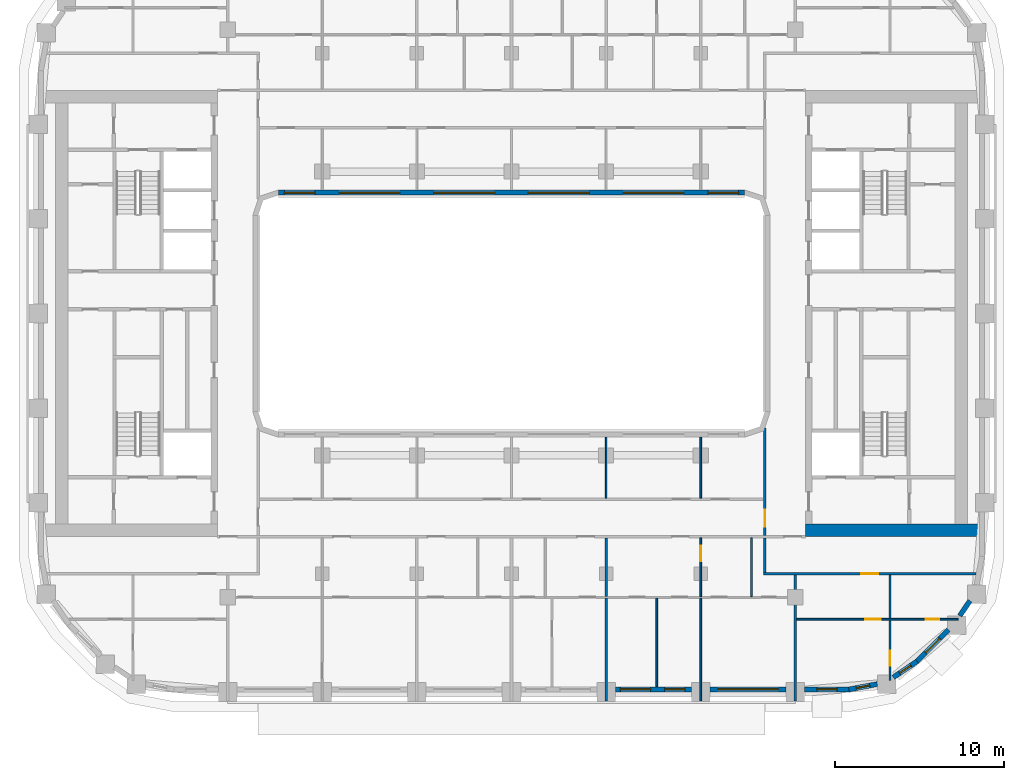
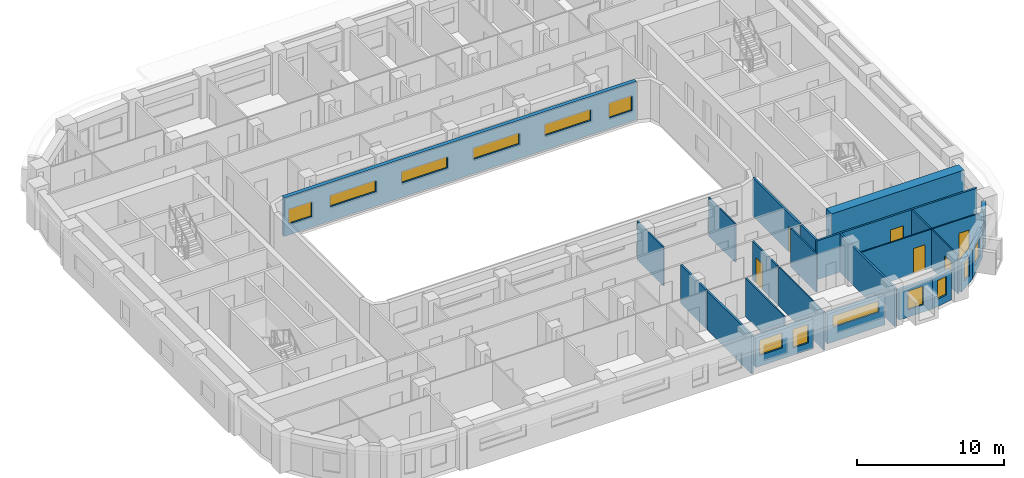
# One storey, part 5 of 22: 24 walls, 13 windows, 6 doors, 19 openings.
"""IFC4 building model written with IfcOpenShell, lengths in metres."""

from ifc_helpers import new_model, si_unit, direction, frame, frame_2d, origin, place, context, subcontext, project, spatial, rectangle, extrude, material, layer, layer_set, type_object, element, fill, save


model = new_model("IFC4")

# Units and contexts
model_context = context("Model", 3, precision=1e-05, world=origin(), true_north=direction((0.0, 1.0)))
body_context = subcontext(model_context, "Body", "Model", "MODEL_VIEW")
ifc_project = project(units=[si_unit("LENGTHUNIT", "METRE"), si_unit("AREAUNIT", "SQUARE_METRE"), si_unit("VOLUMEUNIT", "CUBIC_METRE"), si_unit("PLANEANGLEUNIT", "RADIAN"), si_unit("MASSUNIT", "GRAM", prefix="KILO")], contexts=[model_context])

# Site, building, storey
site_placement = place(None, origin())
site = spatial("IfcSite", under=ifc_project, at=site_placement, CompositionType="ELEMENT")
building_placement = place(site_placement, origin())
building = spatial("IfcBuilding", under=site, at=building_placement, Name="Kiln Ring Residences", CompositionType="ELEMENT")
storey_placement = place(building_placement, frame((0.0, 0.0, 139.60009765625)))
storey = spatial("IfcBuildingStorey", under=building, at=storey_placement, Name="L35", CompositionType="ELEMENT", Elevation=139.60009765625)

# Wall
ifc_material_1 = material(Name="Concrete C60/75", Category="concrete")
ifc_layer_1 = layer(ifc_material_1, 0.75)
ifc_layer_set_1 = layer_set([ifc_layer_1], Name="CORE-WALL-RC750")
wall_type_1 = type_object("IfcWallType", Name="CORE-WALL-RC750", PredefinedType="SHEAR", material=ifc_layer_set_1)
wall_1_placement = place(storey_placement, frame((17.39990234375, -12.824951171875, 0.0), z_axis=(0.0, 0.0, 1.0), x_axis=(1.0, 0.0, 0.0)))
element("IfcWall", 1, at=wall_1_placement, inside=storey, type_object=wall_type_1, Name="Core wall east L35 5", PredefinedType="SHEAR", context=body_context, shape_type="SweptSolid", body=[
    extrude(rectangle(XDim=10.400146484375, YDim=0.75, at=frame_2d((5.2001953125, 0.0))), origin(), (0.0, 0.0, 1.0), 3.199951171875),
])

# Wall, openings, windows
ifc_material_2 = material(Name="Brick masonry, dark clay brick", Category="masonry")
ifc_layer_2 = layer(ifc_material_2, 0.300048828125)
ifc_layer_set_2 = layer_set([ifc_layer_2], Name="EW-300 BRICK WALL")
wall_type_2 = type_object("IfcWallType", Name="EW-300 BRICK WALL", PredefinedType="SOLIDWALL", material=ifc_layer_set_2)
wall_2_placement = place(storey_placement, frame((6.14990234375, -22.25, 0.0), z_axis=(0.0, 0.0, 1.0), x_axis=(1.0, 0.0, 0.0)))
wall_2 = element("IfcWall", 2, at=wall_2_placement, inside=storey, type_object=wall_type_2, Name="Facade wall L35 9", PredefinedType="SOLIDWALL", context=body_context, shape_type="SweptSolid", body=[
    extrude(rectangle(XDim=4.5, YDim=0.300048828125, at=frame_2d((2.25, 0.0))), origin(), (0.0, 0.0, 1.0), 2.449951171875),
])
opening_1_placement = place(wall_2_placement, frame((0.28759765625, 0.0, 0.89990234375)))
opening_1 = element("IfcOpeningElement", 3, at=opening_1_placement, cuts=wall_2, Name="Opening W2", PredefinedType="OPENING", context=body_context, shape_type="SweptSolid", body=[
    extrude(rectangle(XDim=1.800048828125, YDim=1.25, at=frame_2d((0.89990234375, 0.625))), frame((0.0, 0.159912109375, 0.0), z_axis=(0.0, -1.0, 0.0), x_axis=(1.0, 0.0, 0.0)), (0.0, 0.0, 1.0), 0.320068359375),
])
opening_2_placement = place(wall_2_placement, frame((2.91259765625, 0.0, 0.60009765625)))
opening_2 = element("IfcOpeningElement", 4, at=opening_2_placement, cuts=wall_2, Name="Opening W1", PredefinedType="OPENING", context=body_context, shape_type="SweptSolid", body=[
    extrude(rectangle(XDim=1.199951171875, YDim=1.550048828125, at=frame_2d((0.60009765625, 0.77490234375))), frame((0.0, 0.159912109375, 0.0), z_axis=(0.0, -1.0, 0.0), x_axis=(1.0, 0.0, 0.0)), (0.0, 0.0, 1.0), 0.320068359375),
])
ifc_material_3 = material(Name="Aluminium frame with double glazing", Category="aluminium")
window_type_1 = type_object("IfcWindowType", Name="WINDOW 1200 x 1550", PartitioningType="SINGLE_PANEL", PredefinedType="WINDOW", material=ifc_material_3)
window_1_placement = place(opening_2_placement, origin())
window_1 = element("IfcWindow", 5, at=window_1_placement, inside=storey, type_object=window_type_1, Name="Window L35 10", OverallHeight=1.550048828125, OverallWidth=1.199951171875, PartitioningType="SINGLE_PANEL", PredefinedType="WINDOW", context=body_context, shape_type="SweptSolid", body=[
    extrude(rectangle(XDim=1.199951171875, YDim=1.550048828125, at=frame_2d((0.60009765625, 0.77490234375))), frame((0.0, 0.030029296875, 0.0), z_axis=(0.0, -1.0, 0.0), x_axis=(1.0, 0.0, 0.0)), (0.0, 0.0, 1.0), 0.06005859375),
])
fill(opening_2, window_1)
ifc_material_4 = material(Name="Aluminium frame with double glazing", Category="aluminium")
window_type_2 = type_object("IfcWindowType", Name="WINDOW 1800 x 1250", PartitioningType="SINGLE_PANEL", PredefinedType="WINDOW", material=ifc_material_4)
window_2_placement = place(opening_1_placement, origin())
window_2 = element("IfcWindow", 6, at=window_2_placement, inside=storey, type_object=window_type_2, Name="Window L35 9", OverallHeight=1.25, OverallWidth=1.800048828125, PartitioningType="SINGLE_PANEL", PredefinedType="WINDOW", context=body_context, shape_type="SweptSolid", body=[
    extrude(rectangle(XDim=1.800048828125, YDim=1.25, at=frame_2d((0.89990234375, 0.625))), frame((0.0, 0.030029296875, 0.0), z_axis=(0.0, -1.0, 0.0), x_axis=(1.0, 0.0, 0.0)), (0.0, 0.0, 1.0), 0.06005859375),
])
fill(opening_1, window_2)

# Wall, opening, window
wall_3_placement = place(storey_placement, frame((11.75, -22.25, 0.0), z_axis=(0.0, 0.0, 1.0), x_axis=(1.0, 0.0, 0.0)))
wall_3 = element("IfcWall", 7, at=wall_3_placement, inside=storey, type_object=wall_type_2, Name="Facade wall L35 10", PredefinedType="SOLIDWALL", context=body_context, shape_type="SweptSolid", body=[
    extrude(rectangle(XDim=4.5, YDim=0.300048828125, at=frame_2d((2.25, 0.0))), origin(), (0.0, 0.0, 1.0), 2.449951171875),
])
opening_3_placement = place(wall_3_placement, frame((0.449951171875, 0.0, 1.199951171875)))
opening_3 = element("IfcOpeningElement", 8, at=opening_3_placement, cuts=wall_3, Name="Opening W4", PredefinedType="OPENING", context=body_context, shape_type="SweptSolid", body=[
    extrude(rectangle(XDim=3.60009765625, YDim=0.949951171875, at=frame_2d((1.800048828125, 0.47509765625))), frame((0.0, 0.159912109375, 0.0), z_axis=(0.0, -1.0, 0.0), x_axis=(1.0, 0.0, 0.0)), (0.0, 0.0, 1.0), 0.320068359375),
])
ifc_material_5 = material(Name="Aluminium frame with double glazing", Category="aluminium")
window_type_3 = type_object("IfcWindowType", Name="WINDOW 3600 x 950", PartitioningType="SINGLE_PANEL", PredefinedType="WINDOW", material=ifc_material_5)
window_3_placement = place(opening_3_placement, origin())
window_3 = element("IfcWindow", 9, at=window_3_placement, inside=storey, type_object=window_type_3, Name="Window L35 11", OverallHeight=0.949951171875, OverallWidth=3.60009765625, PartitioningType="SINGLE_PANEL", PredefinedType="WINDOW", context=body_context, shape_type="SweptSolid", body=[
    extrude(rectangle(XDim=3.60009765625, YDim=0.949951171875, at=frame_2d((1.800048828125, 0.47509765625))), frame((0.0, 0.030029296875, 0.0), z_axis=(0.0, -1.0, 0.0), x_axis=(1.0, 0.0, 0.0)), (0.0, 0.0, 1.0), 0.06005859375),
])
fill(opening_3, window_3)

wall_4_placement = place(storey_placement, frame((17.35009765625, -22.25, 0.0), z_axis=(0.0, 0.0, 1.0), x_axis=(1.0, 0.0, 0.0)))
wall_4 = element("IfcWall", 10, at=wall_4_placement, inside=storey, type_object=wall_type_2, Name="Facade wall L35 11", PredefinedType="SOLIDWALL", context=body_context, shape_type="SweptSolid", body=[
    extrude(rectangle(XDim=2.64990234375, YDim=0.300048828125, at=frame_2d((1.324951171875, 0.0))), origin(), (0.0, 0.0, 1.0), 2.449951171875),
])
opening_4_placement = place(wall_4_placement, frame((0.72509765625, 0.0, 0.60009765625)))
opening_4 = element("IfcOpeningElement", 11, at=opening_4_placement, cuts=wall_4, Name="Opening W1", PredefinedType="OPENING", context=body_context, shape_type="SweptSolid", body=[
    extrude(rectangle(XDim=1.199951171875, YDim=1.550048828125, at=frame_2d((0.60009765625, 0.77490234375))), frame((0.0, 0.159912109375, 0.0), z_axis=(0.0, -1.0, 0.0), x_axis=(1.0, 0.0, 0.0)), (0.0, 0.0, 1.0), 0.320068359375),
])
window_4_placement = place(opening_4_placement, origin())
window_4 = element("IfcWindow", 12, at=window_4_placement, inside=storey, type_object=window_type_1, Name="Window L35 12", OverallHeight=1.550048828125, OverallWidth=1.199951171875, PartitioningType="SINGLE_PANEL", PredefinedType="WINDOW", context=body_context, shape_type="SweptSolid", body=[
    extrude(rectangle(XDim=1.199951171875, YDim=1.550048828125, at=frame_2d((0.60009765625, 0.77490234375))), frame((0.0, 0.030029296875, 0.0), z_axis=(0.0, -1.0, 0.0), x_axis=(1.0, 0.0, 0.0)), (0.0, 0.0, 1.0), 0.06005859375),
])
fill(opening_4, window_4)

wall_5_placement = place(storey_placement, frame((19.971923828125, -22.252685546875, 0.0), z_axis=(0.0, 0.0, 1.0), x_axis=(0.982297206936, 0.187329114784, 0.0)))
wall_5 = element("IfcWall", 13, at=wall_5_placement, inside=storey, type_object=wall_type_2, Name="Facade wall L35 12", PredefinedType="SOLIDWALL", context=body_context, shape_type="SweptSolid", body=[
    extrude(rectangle(XDim=1.7060546875, YDim=0.300048828125, at=frame_2d((0.85302734375, 0.0))), origin(), (0.0, 0.0, 1.0), 2.449951171875),
])
opening_5_placement = place(wall_5_placement, frame((0.453125, 0.0, 0.60009765625)))
opening_5 = element("IfcOpeningElement", 14, at=opening_5_placement, cuts=wall_5, Name="Opening W5", PredefinedType="OPENING", context=body_context, shape_type="SweptSolid", body=[
    extrude(rectangle(XDim=0.800048828125, YDim=1.550048828125, at=frame_2d((0.39990234375, 0.77490234375))), frame((0.0, 0.159912109375, 0.0), z_axis=(0.0, -1.0, 0.0), x_axis=(1.0, 0.0, 0.0)), (0.0, 0.0, 1.0), 0.320068359375),
])
ifc_material_6 = material(Name="Aluminium frame with double glazing", Category="aluminium")
window_type_4 = type_object("IfcWindowType", Name="WINDOW 800 x 1550", PartitioningType="SINGLE_PANEL", PredefinedType="WINDOW", material=ifc_material_6)
window_5_placement = place(opening_5_placement, origin())
window_5 = element("IfcWindow", 15, at=window_5_placement, inside=storey, type_object=window_type_4, Name="Window L35 13", OverallHeight=1.550048828125, OverallWidth=0.800048828125, PartitioningType="SINGLE_PANEL", PredefinedType="WINDOW", context=body_context, shape_type="SweptSolid", body=[
    extrude(rectangle(XDim=0.800048828125, YDim=1.550048828125, at=frame_2d((0.39990234375, 0.77490234375))), frame((0.0, 0.030029296875, 0.0), z_axis=(0.0, -1.0, 0.0), x_axis=(1.0, 0.0, 0.0)), (0.0, 0.0, 1.0), 0.06005859375),
])
fill(opening_5, window_5)

wall_6_placement = place(storey_placement, frame((22.601806640625, -21.537841796875, 0.0), z_axis=(0.0, 0.0, 1.0), x_axis=(0.827040942766, 0.562141689424, 0.0)))
wall_6 = element("IfcWall", 16, at=wall_6_placement, inside=storey, type_object=wall_type_2, Name="Facade wall L35 13", PredefinedType="SOLIDWALL", context=body_context, shape_type="SweptSolid", body=[
    extrude(rectangle(XDim=1.7060546875, YDim=0.300048828125, at=frame_2d((0.85302734375, 0.0))), origin(), (0.0, 0.0, 1.0), 2.449951171875),
])
opening_6_placement = place(wall_6_placement, frame((0.453125, 0.0, 0.60009765625)))
opening_6 = element("IfcOpeningElement", 17, at=opening_6_placement, cuts=wall_6, Name="Opening W5", PredefinedType="OPENING", context=body_context, shape_type="SweptSolid", body=[
    extrude(rectangle(XDim=0.800048828125, YDim=1.550048828125, at=frame_2d((0.39990234375, 0.77490234375))), frame((0.0, 0.159912109375, 0.0), z_axis=(0.0, -1.0, 0.0), x_axis=(1.0, 0.0, 0.0)), (0.0, 0.0, 1.0), 0.320068359375),
])
window_6_placement = place(opening_6_placement, origin())
window_6 = element("IfcWindow", 18, at=window_6_placement, inside=storey, type_object=window_type_4, Name="Window L35 14", OverallHeight=1.550048828125, OverallWidth=0.800048828125, PartitioningType="SINGLE_PANEL", PredefinedType="WINDOW", context=body_context, shape_type="SweptSolid", body=[
    extrude(rectangle(XDim=0.800048828125, YDim=1.550048828125, at=frame_2d((0.39990234375, 0.77490234375))), frame((0.0, 0.030029296875, 0.0), z_axis=(0.0, -1.0, 0.0), x_axis=(1.0, 0.0, 0.0)), (0.0, 0.0, 1.0), 0.06005859375),
])
fill(opening_6, window_6)

wall_7_placement = place(storey_placement, frame((23.990966796875, -20.596923828125, 0.0), z_axis=(0.0, 0.0, 1.0), x_axis=(0.707106781187, 0.707106781187, 0.0)))
wall_7 = element("IfcWall", 19, at=wall_7_placement, inside=storey, type_object=wall_type_2, Name="Facade wall L35 14", PredefinedType="SOLIDWALL", context=body_context, shape_type="SweptSolid", body=[
    extrude(rectangle(XDim=2.64990234375, YDim=0.300048828125, at=frame_2d((1.324951171875, 0.0))), origin(), (0.0, 0.0, 1.0), 2.449951171875),
])
opening_7_placement = place(wall_7_placement, frame((0.72509765625, 0.0, 0.60009765625)))
opening_7 = element("IfcOpeningElement", 20, at=opening_7_placement, cuts=wall_7, Name="Opening W1", PredefinedType="OPENING", context=body_context, shape_type="SweptSolid", body=[
    extrude(rectangle(XDim=1.199951171875, YDim=1.550048828125, at=frame_2d((0.60009765625, 0.77490234375))), frame((0.0, 0.159912109375, 0.0), z_axis=(0.0, -1.0, 0.0), x_axis=(1.0, 0.0, 0.0)), (0.0, 0.0, 1.0), 0.320068359375),
])
window_7_placement = place(opening_7_placement, origin())
window_7 = element("IfcWindow", 21, at=window_7_placement, inside=storey, type_object=window_type_1, Name="Window L35 15", OverallHeight=1.550048828125, OverallWidth=1.199951171875, PartitioningType="SINGLE_PANEL", PredefinedType="WINDOW", context=body_context, shape_type="SweptSolid", body=[
    extrude(rectangle(XDim=1.199951171875, YDim=1.550048828125, at=frame_2d((0.60009765625, 0.77490234375))), frame((0.0, 0.030029296875, 0.0), z_axis=(0.0, -1.0, 0.0), x_axis=(1.0, 0.0, 0.0)), (0.0, 0.0, 1.0), 0.06005859375),
])
fill(opening_7, window_7)

# Wall
wall_8_placement = place(storey_placement, frame((26.532470703125, -17.892578125, 0.0), z_axis=(0.0, 0.0, 1.0), x_axis=(0.562105419172, 0.82706559458, 0.0)))
element("IfcWall", 22, at=wall_8_placement, inside=storey, type_object=wall_type_2, Name="Facade wall L35 15", PredefinedType="SOLIDWALL", context=body_context, shape_type="SweptSolid", body=[
    extrude(rectangle(XDim=1.0771484375, YDim=0.300048828125, at=frame_2d((0.53857421875, 0.0))), origin(), (0.0, 0.0, 1.0), 3.199951171875),
])

# Wall, openings, windows
wall_9_placement = place(storey_placement, frame((-13.800048828125, 7.14990234375, 0.0), z_axis=(0.0, 0.0, 1.0), x_axis=(1.0, 0.0, 0.0)))
wall_9 = element("IfcWall", 23, at=wall_9_placement, inside=storey, type_object=wall_type_2, Name="Facade wall L35 50", PredefinedType="SOLIDWALL", context=body_context, shape_type="SweptSolid", body=[
    extrude(rectangle(XDim=27.60009765625, YDim=0.300048828125, at=frame_2d((13.800048828125, 0.0))), origin(), (0.0, 0.0, 1.0), 3.199951171875),
])
opening_8_placement = place(wall_9_placement, frame((0.362548828125, 0.0, 0.89990234375)))
opening_8 = element("IfcOpeningElement", 24, at=opening_8_placement, cuts=wall_9, Name="Opening W2", PredefinedType="OPENING", context=body_context, shape_type="SweptSolid", body=[
    extrude(rectangle(XDim=1.800048828125, YDim=1.25, at=frame_2d((0.89990234375, 0.625))), frame((0.0, 0.159912109375, 0.0), z_axis=(0.0, -1.0, 0.0), x_axis=(1.0, 0.0, 0.0)), (0.0, 0.0, 1.0), 0.320068359375),
])
opening_9_placement = place(wall_9_placement, frame((3.60009765625, 0.0, 1.199951171875)))
opening_9 = element("IfcOpeningElement", 25, at=opening_9_placement, cuts=wall_9, Name="Opening W4", PredefinedType="OPENING", context=body_context, shape_type="SweptSolid", body=[
    extrude(rectangle(XDim=3.60009765625, YDim=0.949951171875, at=frame_2d((1.800048828125, 0.47509765625))), frame((0.0, 0.159912109375, 0.0), z_axis=(0.0, -1.0, 0.0), x_axis=(1.0, 0.0, 0.0)), (0.0, 0.0, 1.0), 0.320068359375),
])
opening_10_placement = place(wall_9_placement, frame((9.199951171875, 0.0, 1.199951171875)))
opening_10 = element("IfcOpeningElement", 26, at=opening_10_placement, cuts=wall_9, Name="Opening W4", PredefinedType="OPENING", context=body_context, shape_type="SweptSolid", body=[
    extrude(rectangle(XDim=3.60009765625, YDim=0.949951171875, at=frame_2d((1.800048828125, 0.47509765625))), frame((0.0, 0.159912109375, 0.0), z_axis=(0.0, -1.0, 0.0), x_axis=(1.0, 0.0, 0.0)), (0.0, 0.0, 1.0), 0.320068359375),
])
opening_11_placement = place(wall_9_placement, frame((14.800048828125, 0.0, 1.199951171875)))
opening_11 = element("IfcOpeningElement", 27, at=opening_11_placement, cuts=wall_9, Name="Opening W4", PredefinedType="OPENING", context=body_context, shape_type="SweptSolid", body=[
    extrude(rectangle(XDim=3.60009765625, YDim=0.949951171875, at=frame_2d((1.800048828125, 0.47509765625))), frame((0.0, 0.159912109375, 0.0), z_axis=(0.0, -1.0, 0.0), x_axis=(1.0, 0.0, 0.0)), (0.0, 0.0, 1.0), 0.320068359375),
])
opening_12_placement = place(wall_9_placement, frame((20.39990234375, 0.0, 1.199951171875)))
opening_12 = element("IfcOpeningElement", 28, at=opening_12_placement, cuts=wall_9, Name="Opening W4", PredefinedType="OPENING", context=body_context, shape_type="SweptSolid", body=[
    extrude(rectangle(XDim=3.60009765625, YDim=0.949951171875, at=frame_2d((1.800048828125, 0.47509765625))), frame((0.0, 0.159912109375, 0.0), z_axis=(0.0, -1.0, 0.0), x_axis=(1.0, 0.0, 0.0)), (0.0, 0.0, 1.0), 0.320068359375),
])
opening_13_placement = place(wall_9_placement, frame((25.4375, 0.0, 0.89990234375)))
opening_13 = element("IfcOpeningElement", 29, at=opening_13_placement, cuts=wall_9, Name="Opening W2", PredefinedType="OPENING", context=body_context, shape_type="SweptSolid", body=[
    extrude(rectangle(XDim=1.800048828125, YDim=1.25, at=frame_2d((0.89990234375, 0.625))), frame((0.0, 0.159912109375, 0.0), z_axis=(0.0, -1.0, 0.0), x_axis=(1.0, 0.0, 0.0)), (0.0, 0.0, 1.0), 0.320068359375),
])
window_8_placement = place(opening_8_placement, origin())
window_8 = element("IfcWindow", 30, at=window_8_placement, inside=storey, type_object=window_type_2, Name="Window L35 33", OverallHeight=1.25, OverallWidth=1.800048828125, PartitioningType="SINGLE_PANEL", PredefinedType="WINDOW", context=body_context, shape_type="SweptSolid", body=[
    extrude(rectangle(XDim=1.800048828125, YDim=1.25, at=frame_2d((0.89990234375, 0.625))), frame((0.0, 0.030029296875, 0.0), z_axis=(0.0, -1.0, 0.0), x_axis=(1.0, 0.0, 0.0)), (0.0, 0.0, 1.0), 0.06005859375),
])
fill(opening_8, window_8)
window_9_placement = place(opening_13_placement, origin())
window_9 = element("IfcWindow", 31, at=window_9_placement, inside=storey, type_object=window_type_2, Name="Window L35 38", OverallHeight=1.25, OverallWidth=1.800048828125, PartitioningType="SINGLE_PANEL", PredefinedType="WINDOW", context=body_context, shape_type="SweptSolid", body=[
    extrude(rectangle(XDim=1.800048828125, YDim=1.25, at=frame_2d((0.89990234375, 0.625))), frame((0.0, 0.030029296875, 0.0), z_axis=(0.0, -1.0, 0.0), x_axis=(1.0, 0.0, 0.0)), (0.0, 0.0, 1.0), 0.06005859375),
])
fill(opening_13, window_9)
window_10_placement = place(opening_9_placement, origin())
window_10 = element("IfcWindow", 32, at=window_10_placement, inside=storey, type_object=window_type_3, Name="Window L35 34", OverallHeight=0.949951171875, OverallWidth=3.60009765625, PartitioningType="SINGLE_PANEL", PredefinedType="WINDOW", context=body_context, shape_type="SweptSolid", body=[
    extrude(rectangle(XDim=3.60009765625, YDim=0.949951171875, at=frame_2d((1.800048828125, 0.47509765625))), frame((0.0, 0.030029296875, 0.0), z_axis=(0.0, -1.0, 0.0), x_axis=(1.0, 0.0, 0.0)), (0.0, 0.0, 1.0), 0.06005859375),
])
fill(opening_9, window_10)
window_11_placement = place(opening_10_placement, origin())
window_11 = element("IfcWindow", 33, at=window_11_placement, inside=storey, type_object=window_type_3, Name="Window L35 35", OverallHeight=0.949951171875, OverallWidth=3.60009765625, PartitioningType="SINGLE_PANEL", PredefinedType="WINDOW", context=body_context, shape_type="SweptSolid", body=[
    extrude(rectangle(XDim=3.60009765625, YDim=0.949951171875, at=frame_2d((1.800048828125, 0.47509765625))), frame((0.0, 0.030029296875, 0.0), z_axis=(0.0, -1.0, 0.0), x_axis=(1.0, 0.0, 0.0)), (0.0, 0.0, 1.0), 0.06005859375),
])
fill(opening_10, window_11)
window_12_placement = place(opening_11_placement, origin())
window_12 = element("IfcWindow", 34, at=window_12_placement, inside=storey, type_object=window_type_3, Name="Window L35 36", OverallHeight=0.949951171875, OverallWidth=3.60009765625, PartitioningType="SINGLE_PANEL", PredefinedType="WINDOW", context=body_context, shape_type="SweptSolid", body=[
    extrude(rectangle(XDim=3.60009765625, YDim=0.949951171875, at=frame_2d((1.800048828125, 0.47509765625))), frame((0.0, 0.030029296875, 0.0), z_axis=(0.0, -1.0, 0.0), x_axis=(1.0, 0.0, 0.0)), (0.0, 0.0, 1.0), 0.06005859375),
])
fill(opening_11, window_12)
window_13_placement = place(opening_12_placement, origin())
window_13 = element("IfcWindow", 35, at=window_13_placement, inside=storey, type_object=window_type_3, Name="Window L35 37", OverallHeight=0.949951171875, OverallWidth=3.60009765625, PartitioningType="SINGLE_PANEL", PredefinedType="WINDOW", context=body_context, shape_type="SweptSolid", body=[
    extrude(rectangle(XDim=3.60009765625, YDim=0.949951171875, at=frame_2d((1.800048828125, 0.47509765625))), frame((0.0, 0.030029296875, 0.0), z_axis=(0.0, -1.0, 0.0), x_axis=(1.0, 0.0, 0.0)), (0.0, 0.0, 1.0), 0.06005859375),
])
fill(opening_12, window_13)

# Wall, openings, doors
ifc_material_7 = material(Name="Gypsum board on steel studs", Category="steel")
ifc_layer_3 = layer(ifc_material_7, 0.10009765625)
ifc_layer_set_3 = layer_set([ifc_layer_3], Name="PARTITION-100")
wall_type_3 = type_object("IfcWallType", Name="PARTITION-100", PredefinedType="PARTITIONING", material=ifc_layer_set_3)
wall_10_placement = place(storey_placement, frame((16.875, -18.10009765625, 0.0), z_axis=(0.0, 0.0, 1.0), x_axis=(1.0, 0.0, 0.0)))
wall_10 = element("IfcWall", 36, at=wall_10_placement, inside=storey, type_object=wall_type_3, Name="Partition 001", PredefinedType="PARTITIONING", context=body_context, shape_type="SweptSolid", body=[
    extrude(rectangle(XDim=9.56494140625, YDim=0.10009765625, at=frame_2d((4.782470703125, 0.0))), origin(), (0.0, 0.0, 1.0), 3.199951171875),
])
opening_14_placement = place(wall_10_placement, frame((7.638916015625, 0.0, 0.0)))
opening_14 = element("IfcOpeningElement", 37, at=opening_14_placement, cuts=wall_10, Name="Opening L35-D067", PredefinedType="OPENING", context=body_context, shape_type="SweptSolid", body=[
    extrude(rectangle(XDim=0.800048828125, YDim=2.10009765625, at=frame_2d((0.39990234375, 1.050048828125))), frame((0.0, 0.06005859375, 0.0), z_axis=(0.0, -1.0, 0.0), x_axis=(1.0, 0.0, 0.0)), (0.0, 0.0, 1.0), 0.1201171875),
])
opening_15_placement = place(wall_10_placement, frame((4.074951171875, 0.0, 0.0)))
opening_15 = element("IfcOpeningElement", 38, at=opening_15_placement, cuts=wall_10, Name="Opening L35-D068", PredefinedType="OPENING", context=body_context, shape_type="SweptSolid", body=[
    extrude(rectangle(XDim=0.89990234375, YDim=2.10009765625, at=frame_2d((0.449951171875, 1.050048828125))), frame((0.0, 0.06005859375, 0.0), z_axis=(0.0, -1.0, 0.0), x_axis=(1.0, 0.0, 0.0)), (0.0, 0.0, 1.0), 0.1201171875),
])
ifc_material_8 = material(Name="Timber door leaf", Category="wood")
door_type_1 = type_object("IfcDoorType", Name="FLAT-DOOR-800-PL", OperationType="SINGLE_SWING_LEFT", PredefinedType="DOOR", material=ifc_material_8)
door_1_placement = place(opening_14_placement, origin())
door_1 = element("IfcDoor", 39, at=door_1_placement, inside=storey, type_object=door_type_1, Name="Door L35-D067", OperationType="SINGLE_SWING_LEFT", OverallHeight=2.10009765625, OverallWidth=0.800048828125, PredefinedType="DOOR", context=body_context, shape_type="SweptSolid", body=[
    extrude(rectangle(XDim=0.800048828125, YDim=2.10009765625, at=frame_2d((0.39990234375, 1.050048828125))), frame((0.0, 0.02490234375, 0.0), z_axis=(0.0, -1.0, 0.0), x_axis=(1.0, 0.0, 0.0)), (0.0, 0.0, 1.0), 0.050048828125),
])
fill(opening_14, door_1)
ifc_material_9 = material(Name="Timber door leaf", Category="wood")
door_type_2 = type_object("IfcDoorType", Name="FLAT-DOOR-900-PL", OperationType="SINGLE_SWING_LEFT", PredefinedType="DOOR", material=ifc_material_9)
door_2_placement = place(opening_15_placement, origin())
door_2 = element("IfcDoor", 40, at=door_2_placement, inside=storey, type_object=door_type_2, Name="Door L35-D068", OperationType="SINGLE_SWING_RIGHT", OverallHeight=2.10009765625, OverallWidth=0.89990234375, PredefinedType="DOOR", context=body_context, shape_type="SweptSolid", body=[
    extrude(rectangle(XDim=0.89990234375, YDim=2.10009765625, at=frame_2d((0.449951171875, 1.050048828125))), frame((0.0, 0.02490234375, 0.0), z_axis=(0.0, -1.0, 0.0), x_axis=(1.0, 0.0, 0.0)), (0.0, 0.0, 1.0), 0.050048828125),
])
fill(opening_15, door_2)

# Walls
wall_11_placement = place(storey_placement, frame((5.60009765625, -10.925048828125, 0.0), z_axis=(0.0, 0.0, 1.0), x_axis=(0.0, 1.0, 0.0)))
element("IfcWall", 41, at=wall_11_placement, inside=storey, type_object=wall_type_3, Name="Partition 049", PredefinedType="PARTITIONING", context=body_context, shape_type="SweptSolid", body=[
    extrude(rectangle(XDim=3.60498046875, YDim=0.10009765625, at=frame_2d((1.802490234375, 0.0))), origin(), (0.0, 0.0, 1.0), 3.199951171875),
])
wall_12_placement = place(storey_placement, frame((8.60009765625, -22.080078125, 0.0), z_axis=(0.0, 0.0, 1.0), x_axis=(0.0, 1.0, 0.0)))
element("IfcWall", 42, at=wall_12_placement, inside=storey, type_object=wall_type_3, Name="Partition 056", PredefinedType="PARTITIONING", context=body_context, shape_type="SweptSolid", body=[
    extrude(rectangle(XDim=5.22998046875, YDim=0.10009765625, at=frame_2d((2.614990234375, 0.0))), origin(), (0.0, 0.0, 1.0), 3.199951171875),
])
wall_13_placement = place(storey_placement, frame((11.199951171875, -22.929931640625, 0.0), z_axis=(0.0, 0.0, 1.0), x_axis=(0.0, 1.0, 0.0)))
element("IfcWall", 43, at=wall_13_placement, inside=storey, type_object=wall_type_3, Name="Partition 058", PredefinedType="PARTITIONING", context=body_context, shape_type="SweptSolid", body=[
    extrude(rectangle(XDim=6.079833984375, YDim=0.10009765625, at=frame_2d((3.0400390625, 0.0))), origin(), (0.0, 0.0, 1.0), 3.199951171875),
])

# Wall, opening, door
wall_14_placement = place(storey_placement, frame((11.199951171875, -16.75, 0.0), z_axis=(0.0, 0.0, 1.0), x_axis=(0.0, 1.0, 0.0)))
wall_14 = element("IfcWall", 44, at=wall_14_placement, inside=storey, type_object=wall_type_3, Name="Partition 059", PredefinedType="PARTITIONING", context=body_context, shape_type="SweptSolid", body=[
    extrude(rectangle(XDim=3.47509765625, YDim=0.10009765625, at=frame_2d((1.737548828125, 0.0))), origin(), (0.0, 0.0, 1.0), 3.199951171875),
])
opening_16_placement = place(wall_14_placement, frame((2.10009765625, 0.0, 0.0)))
opening_16 = element("IfcOpeningElement", 45, at=opening_16_placement, cuts=wall_14, Name="Opening L35-D061", PredefinedType="OPENING", context=body_context, shape_type="SweptSolid", body=[
    extrude(rectangle(XDim=0.89990234375, YDim=2.10009765625, at=frame_2d((0.449951171875, 1.050048828125))), frame((0.0, 0.06005859375, 0.0), z_axis=(0.0, -1.0, 0.0), x_axis=(1.0, 0.0, 0.0)), (0.0, 0.0, 1.0), 0.1201171875),
])
door_3_placement = place(opening_16_placement, origin())
door_3 = element("IfcDoor", 46, at=door_3_placement, inside=storey, type_object=door_type_2, Name="Door L35-D061", OperationType="SINGLE_SWING_RIGHT", OverallHeight=2.10009765625, OverallWidth=0.89990234375, PredefinedType="DOOR", context=body_context, shape_type="SweptSolid", body=[
    extrude(rectangle(XDim=0.89990234375, YDim=2.10009765625, at=frame_2d((0.449951171875, 1.050048828125))), frame((0.0, 0.02490234375, 0.0), z_axis=(0.0, -1.0, 0.0), x_axis=(1.0, 0.0, 0.0)), (0.0, 0.0, 1.0), 0.050048828125),
])
fill(opening_16, door_3)

# Walls
wall_15_placement = place(storey_placement, frame((11.199951171875, -10.925048828125, 0.0), z_axis=(0.0, 0.0, 1.0), x_axis=(0.0, 1.0, 0.0)))
element("IfcWall", 47, at=wall_15_placement, inside=storey, type_object=wall_type_3, Name="Partition 060", PredefinedType="PARTITIONING", context=body_context, shape_type="SweptSolid", body=[
    extrude(rectangle(XDim=3.60498046875, YDim=0.10009765625, at=frame_2d((1.802490234375, 0.0))), origin(), (0.0, 0.0, 1.0), 3.199951171875),
])
wall_16_placement = place(storey_placement, frame((14.199951171875, -16.75, 0.0), z_axis=(0.0, 0.0, 1.0), x_axis=(0.0, 1.0, 0.0)))
element("IfcWall", 48, at=wall_16_placement, inside=storey, type_object=wall_type_3, Name="Partition 066", PredefinedType="PARTITIONING", context=body_context, shape_type="SweptSolid", body=[
    extrude(rectangle(XDim=3.47509765625, YDim=0.10009765625, at=frame_2d((1.737548828125, 0.0))), origin(), (0.0, 0.0, 1.0), 3.199951171875),
])

# Wall, opening, door
wall_17_placement = place(storey_placement, frame((22.39990234375, -21.719970703125, 0.0), z_axis=(0.0, 0.0, 1.0), x_axis=(0.0, 1.0, 0.0)))
wall_17 = element("IfcWall", 49, at=wall_17_placement, inside=storey, type_object=wall_type_3, Name="Partition 073", PredefinedType="PARTITIONING", context=body_context, shape_type="SweptSolid", body=[
    extrude(rectangle(XDim=3.570068359375, YDim=0.10009765625, at=frame_2d((1.78515625, 0.0))), origin(), (0.0, 0.0, 1.0), 3.199951171875),
])
opening_17_placement = place(wall_17_placement, frame((0.8720703125, 0.0, 0.0)))
opening_17 = element("IfcOpeningElement", 50, at=opening_17_placement, cuts=wall_17, Name="Opening L35-D069", PredefinedType="OPENING", context=body_context, shape_type="SweptSolid", body=[
    extrude(rectangle(XDim=0.89990234375, YDim=2.10009765625, at=frame_2d((0.449951171875, 1.050048828125))), frame((0.0, 0.06005859375, 0.0), z_axis=(0.0, -1.0, 0.0), x_axis=(1.0, 0.0, 0.0)), (0.0, 0.0, 1.0), 0.1201171875),
])
door_4_placement = place(opening_17_placement, origin())
door_4 = element("IfcDoor", 51, at=door_4_placement, inside=storey, type_object=door_type_2, Name="Door L35-D069", OperationType="SINGLE_SWING_LEFT", OverallHeight=2.10009765625, OverallWidth=0.89990234375, PredefinedType="DOOR", context=body_context, shape_type="SweptSolid", body=[
    extrude(rectangle(XDim=0.89990234375, YDim=2.10009765625, at=frame_2d((0.449951171875, 1.050048828125))), frame((0.0, 0.02490234375, 0.0), z_axis=(0.0, -1.0, 0.0), x_axis=(1.0, 0.0, 0.0)), (0.0, 0.0, 1.0), 0.050048828125),
])
fill(opening_17, door_4)

# Wall
wall_18_placement = place(storey_placement, frame((22.39990234375, -18.050048828125, 0.0), z_axis=(0.0, 0.0, 1.0), x_axis=(0.0, 1.0, 0.0)))
element("IfcWall", 52, at=wall_18_placement, inside=storey, type_object=wall_type_3, Name="Partition 074", PredefinedType="PARTITIONING", context=body_context, shape_type="SweptSolid", body=[
    extrude(rectangle(XDim=2.574951171875, YDim=0.10009765625, at=frame_2d((1.28759765625, 0.0))), origin(), (0.0, 0.0, 1.0), 3.199951171875),
])

# Wall, opening, door
ifc_material_10 = material(Name="Brick masonry partition", Category="masonry")
ifc_layer_4 = layer(ifc_material_10, 0.14990234375)
ifc_layer_set_4 = layer_set([ifc_layer_4], Name="PARTITION-150-ei60")
wall_type_4 = type_object("IfcWallType", Name="PARTITION-150-ei60", PredefinedType="PARTITIONING", material=ifc_layer_set_4)
wall_19_placement = place(storey_placement, frame((14.925048828125, -15.39990234375, 0.0), z_axis=(0.0, 0.0, 1.0), x_axis=(1.0, 0.0, 0.0)))
wall_19 = element("IfcWall", 53, at=wall_19_placement, inside=storey, type_object=wall_type_4, Name="Partition 004", PredefinedType="PARTITIONING", context=body_context, shape_type="SweptSolid", body=[
    extrude(rectangle(XDim=12.558837890625, YDim=0.14990234375, at=frame_2d((6.279296875, 0.0))), origin(), (0.0, 0.0, 1.0), 3.199951171875),
])
opening_18_placement = place(wall_19_placement, frame((5.77490234375, 0.0, 0.0)))
opening_18 = element("IfcOpeningElement", 54, at=opening_18_placement, cuts=wall_19, Name="Opening L35-D066", PredefinedType="OPENING", context=body_context, shape_type="SweptSolid", body=[
    extrude(rectangle(XDim=1.0, YDim=2.10009765625, at=frame_2d((0.5, 1.050048828125))), frame((0.0, 0.0849609375, 0.0), z_axis=(0.0, -1.0, 0.0), x_axis=(1.0, 0.0, 0.0)), (0.0, 0.0, 1.0), 0.169921875),
])
ifc_material_11 = material(Name="Steel faced fire door leaf", Category="steel")
door_type_3 = type_object("IfcDoorType", Name="FLAT-DOOR-1000-FR", OperationType="SINGLE_SWING_LEFT", PredefinedType="DOOR", material=ifc_material_11)
door_5_placement = place(opening_18_placement, origin())
door_5 = element("IfcDoor", 55, at=door_5_placement, inside=storey, type_object=door_type_3, Name="Door L35-D066", OperationType="SINGLE_SWING_RIGHT", OverallHeight=2.10009765625, OverallWidth=1.0, PredefinedType="DOOR", context=body_context, shape_type="SweptSolid", body=[
    extrude(rectangle(XDim=1.0, YDim=2.10009765625, at=frame_2d((0.5, 1.050048828125))), frame((0.0, 0.02490234375, 0.0), z_axis=(0.0, -1.0, 0.0), x_axis=(1.0, 0.0, 0.0)), (0.0, 0.0, 1.0), 0.050048828125),
])
fill(opening_18, door_5)

# Walls
wall_20_placement = place(storey_placement, frame((5.60009765625, -22.929931640625, 0.0), z_axis=(0.0, 0.0, 1.0), x_axis=(0.0, 1.0, 0.0)))
element("IfcWall", 56, at=wall_20_placement, inside=storey, type_object=wall_type_4, Name="Partition 051", PredefinedType="PARTITIONING", context=body_context, shape_type="SweptSolid", body=[
    extrude(rectangle(XDim=6.079833984375, YDim=0.14990234375, at=frame_2d((3.0400390625, 0.0))), origin(), (0.0, 0.0, 1.0), 3.199951171875),
])
wall_21_placement = place(storey_placement, frame((5.60009765625, -16.75, 0.0), z_axis=(0.0, 0.0, 1.0), x_axis=(0.0, 1.0, 0.0)))
element("IfcWall", 57, at=wall_21_placement, inside=storey, type_object=wall_type_4, Name="Partition 052", PredefinedType="PARTITIONING", context=body_context, shape_type="SweptSolid", body=[
    extrude(rectangle(XDim=3.47509765625, YDim=0.14990234375, at=frame_2d((1.737548828125, 0.0))), origin(), (0.0, 0.0, 1.0), 3.199951171875),
])
wall_22_placement = place(storey_placement, frame((15.0, -15.324951171875, 0.0), z_axis=(0.0, 0.0, 1.0), x_axis=(0.0, 1.0, 0.0)))
element("IfcWall", 58, at=wall_22_placement, inside=storey, type_object=wall_type_4, Name="Partition 067", PredefinedType="PARTITIONING", context=body_context, shape_type="SweptSolid", body=[
    extrude(rectangle(XDim=2.050048828125, YDim=0.14990234375, at=frame_2d((1.02490234375, 0.0))), origin(), (0.0, 0.0, 1.0), 3.199951171875),
])

# Wall, opening, door
wall_23_placement = place(storey_placement, frame((15.0, -13.125, 0.0), z_axis=(0.0, 0.0, 1.0), x_axis=(0.0, 1.0, 0.0)))
wall_23 = element("IfcWall", 59, at=wall_23_placement, inside=storey, type_object=wall_type_4, Name="Partition 068", PredefinedType="PARTITIONING", context=body_context, shape_type="SweptSolid", body=[
    extrude(rectangle(XDim=6.356201171875, YDim=0.14990234375, at=frame_2d((3.17822265625, 0.0))), origin(), (0.0, 0.0, 1.0), 3.199951171875),
])
opening_19_placement = place(wall_23_placement, frame((0.49609375, 0.0, 0.0)))
opening_19 = element("IfcOpeningElement", 60, at=opening_19_placement, cuts=wall_23, Name="Opening L35-D006", PredefinedType="OPENING", context=body_context, shape_type="SweptSolid", body=[
    extrude(rectangle(XDim=1.0, YDim=2.10009765625, at=frame_2d((0.5, 1.050048828125))), frame((0.0, 0.0849609375, 0.0), z_axis=(0.0, -1.0, 0.0), x_axis=(1.0, 0.0, 0.0)), (0.0, 0.0, 1.0), 0.169921875),
])
door_6_placement = place(opening_19_placement, origin())
door_6 = element("IfcDoor", 61, at=door_6_placement, inside=storey, type_object=door_type_3, Name="Door L35-D006", OperationType="SINGLE_SWING_LEFT", OverallHeight=2.10009765625, OverallWidth=1.0, PredefinedType="DOOR", context=body_context, shape_type="SweptSolid", body=[
    extrude(rectangle(XDim=1.0, YDim=2.10009765625, at=frame_2d((0.5, 1.050048828125))), frame((0.0, 0.02490234375, 0.0), z_axis=(0.0, -1.0, 0.0), x_axis=(1.0, 0.0, 0.0)), (0.0, 0.0, 1.0), 0.050048828125),
])
fill(opening_19, door_6)

# Wall
wall_24_placement = place(storey_placement, frame((16.800048828125, -22.929931640625, 0.0), z_axis=(0.0, 0.0, 1.0), x_axis=(0.0, 1.0, 0.0)))
element("IfcWall", 62, at=wall_24_placement, inside=storey, type_object=wall_type_4, Name="Partition 071", PredefinedType="PARTITIONING", context=body_context, shape_type="SweptSolid", body=[
    extrude(rectangle(XDim=7.454833984375, YDim=0.14990234375, at=frame_2d((3.7275390625, 0.0))), origin(), (0.0, 0.0, 1.0), 3.199951171875),
])

save(model, "model.ifc")
